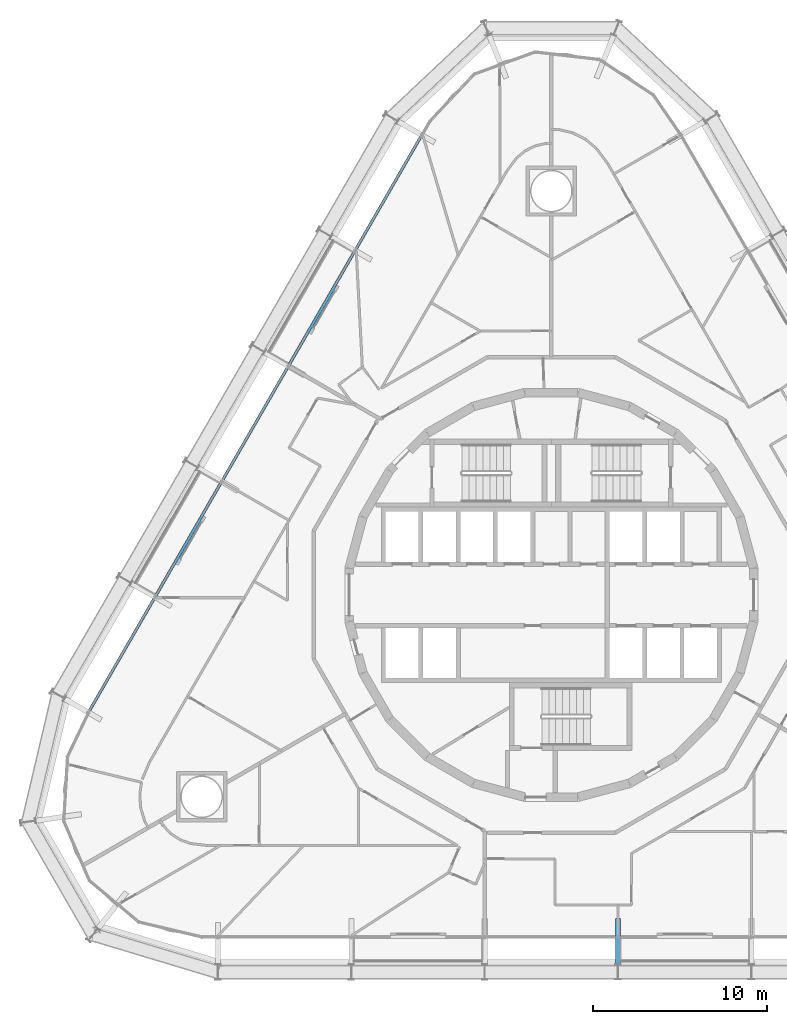
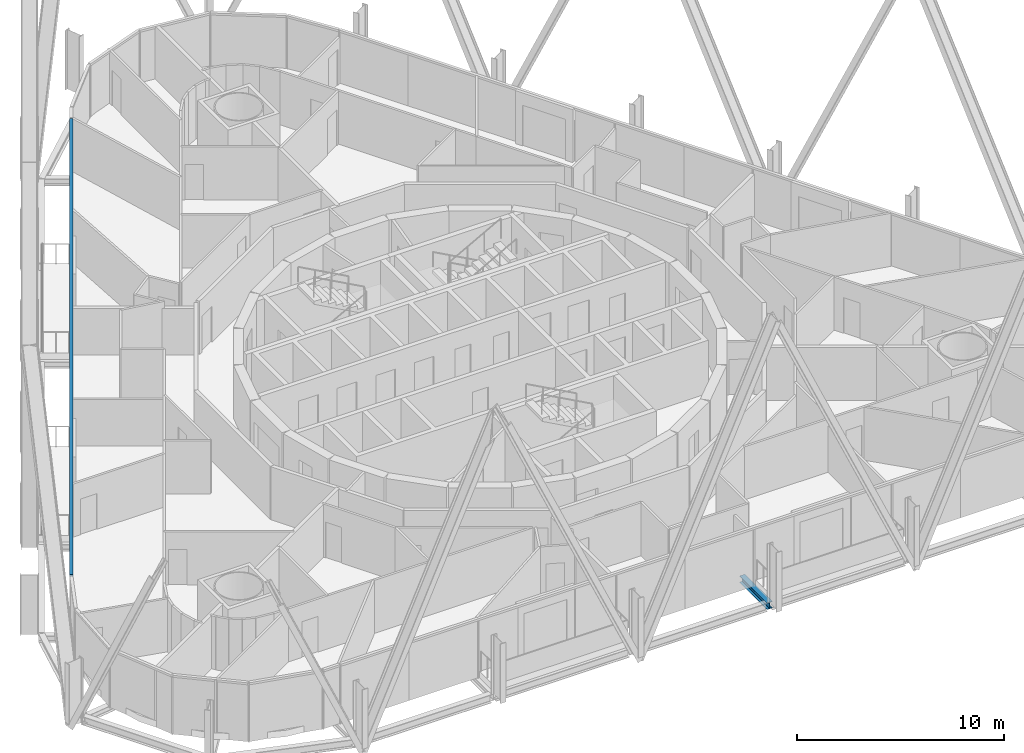
# One storey, part 6 of 22: 1 beam, 1 member, 1 element without a shape of its own.
"""IFC4 building model written with IfcOpenShell, lengths in metres."""

from ifc_helpers import new_model, si_unit, direction, frame, origin, origin_2d, place, context, subcontext, project, spatial, rectangle, i_section, extrude, material, layer, layer_set, material_profile, profile_set, type_object, element, aggregate, save


model = new_model("IFC4")

# Units and contexts
model_context = context("Model", 3, precision=1e-05, world=origin(), true_north=direction((0.0, 1.0)))
body_context = subcontext(model_context, "Body", "Model", "MODEL_VIEW")
ifc_project = project(units=[si_unit("LENGTHUNIT", "METRE"), si_unit("AREAUNIT", "SQUARE_METRE"), si_unit("VOLUMEUNIT", "CUBIC_METRE"), si_unit("PLANEANGLEUNIT", "RADIAN"), si_unit("MASSUNIT", "GRAM", prefix="KILO")], contexts=[model_context])

# Site, building, storey
site_placement = place(None, origin())
site = spatial("IfcSite", under=ifc_project, at=site_placement, CompositionType="ELEMENT")
building_placement = place(site_placement, origin())
building = spatial("IfcBuilding", under=site, at=building_placement, Name="Spindle Arch Residences", CompositionType="ELEMENT")
storey_placement = place(building_placement, frame((0.0, 0.0, 52.39990234375)))
storey = spatial("IfcBuildingStorey", under=building, at=storey_placement, Name="L11", CompositionType="ELEMENT", Elevation=52.39990234375)

# Curtain wall, member
ifc_material_1 = material(Name="Aluminium bronze unitised frame with tinted glass", Category="aluminium")
ifc_layer = layer(ifc_material_1, 0.159912109375)
ifc_layer_set = layer_set([ifc_layer], Name="CW-C typical residential unitised wall")
curtain_wall_type = type_object("IfcCurtainWallType", Name="CW-C typical residential unitised wall", PredefinedType="NOTDEFINED", material=ifc_layer_set)
curtain_wall_placement = place(storey_placement, origin())
curtain_wall = element("IfcCurtainWall", 1, at=curtain_wall_placement, inside=storey, type_object=curtain_wall_type, Name="CW-C L11 run 4", PredefinedType="NOTDEFINED")
ifc_material_2 = material(Name="Aluminium bronze anodised transom", Category="aluminium")
ifc_material_profile_1 = material_profile(ifc_material_2, rectangle(XDim=0.159912109375, YDim=0.1201171875, at=origin_2d()), Name="TR 120x160")
ifc_profile_set_1 = profile_set([ifc_material_profile_1], Name="Aluminium bronze anodised transom")
member_type = type_object("IfcMemberType", Name="Bronze transom 120x160", PredefinedType="USERDEFINED", material=ifc_profile_set_1)
member_placement = place(storey_placement, frame((-7.484130859375, 26.456787109375, 3.06005859375), z_axis=(-0.50000099666, -0.866024828362, 0.0), x_axis=(0.866024828362, -0.50000099666, 0.0)))
member = element("IfcMember", 2, at=member_placement, type_object=member_type, Name="CW-C transom 00", ObjectType="TRANSOM", PredefinedType="USERDEFINED", context=body_context, shape_type="SweptSolid", body=[
    extrude(rectangle(XDim=0.159912109375, YDim=0.1201171875, at=origin_2d()), origin(), (0.0, 0.0, 1.0), 38.34033203125),
])
aggregate(curtain_wall, [member])

# Beam
ifc_material_3 = material(Name="Steel S460ML, intumescent coating R 120", Category="steel")
ifc_material_profile_2 = material_profile(ifc_material_3, i_section(OverallWidth=0.300048828125, OverallDepth=0.389892578125, WebThickness=0.010986328125, FlangeThickness=0.01904296875, FilletRadius=0.027099609375, at=origin_2d()), Name="HEA 400")
ifc_profile_set_2 = profile_set([ifc_material_profile_2], Name="Steel S460ML, intumescent coating R 120")
beam_type = type_object("IfcBeamType", Name="Floor outrigger HEA 400", PredefinedType="BEAM", material=ifc_profile_set_2)
beam_placement = place(storey_placement, frame((3.840087890625, -21.27978515625, -0.574951171875), z_axis=(0.0, 1.0, 0.0), x_axis=(-1.0, 0.0, 0.0)))
element("IfcBeam", 3, at=beam_placement, inside=storey, type_object=beam_type, Name="Floor outrigger 1", PredefinedType="BEAM", context=body_context, shape_type="SweptSolid", body=[
    extrude(i_section(OverallWidth=0.300048828125, OverallDepth=0.389892578125, WebThickness=0.010986328125, FlangeThickness=0.01904296875, FilletRadius=0.027099609375, at=origin_2d()), origin(), (0.0, 0.0, 1.0), 2.64990234375),
])

save(model, "model.ifc")
